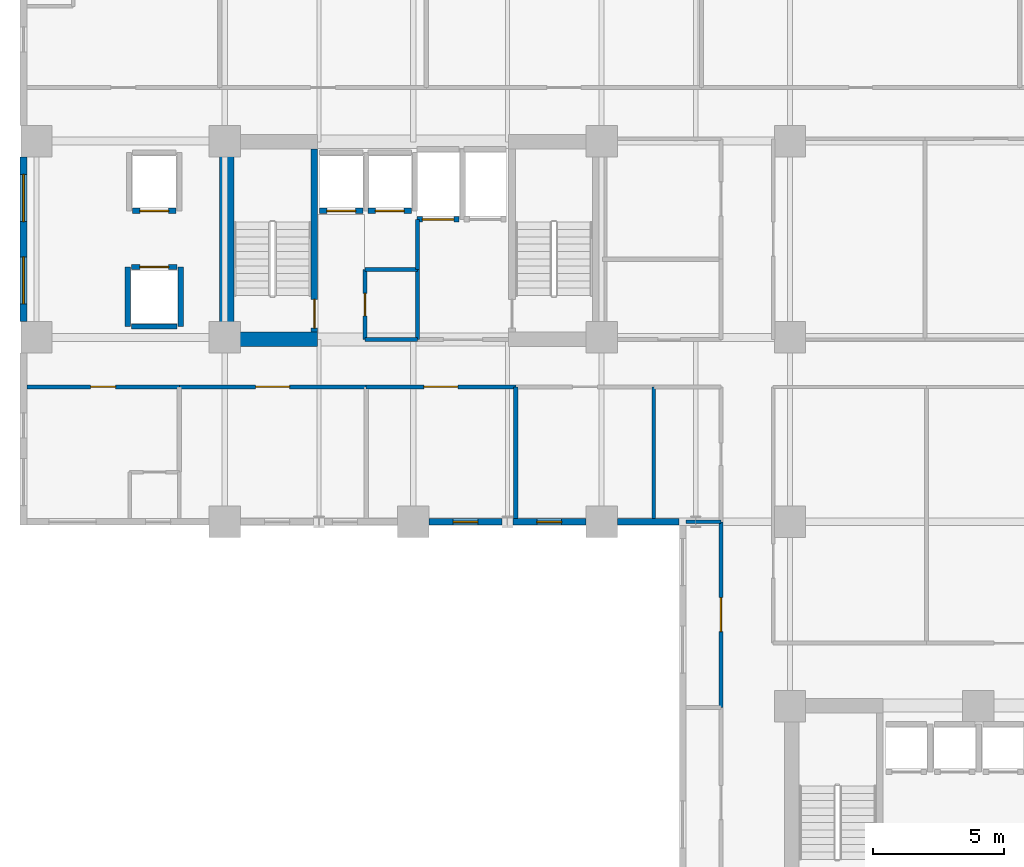
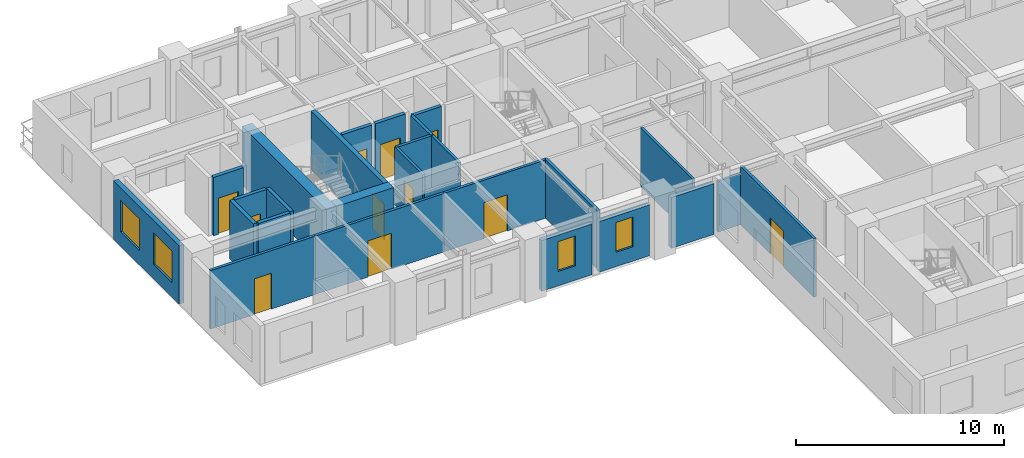
# One storey, part 3 of 11: 27 walls, 11 doors, 4 windows, 15 openings.
"""IFC4 building model written with IfcOpenShell, lengths in metres."""

from ifc_helpers import new_model, si_unit, direction, frame, frame_2d, origin, place, context, subcontext, project, spatial, rectangle, extrude, material, layer, layer_set, type_object, element, fill, save


model = new_model("IFC4")

# Units and contexts
model_context = context("Model", 3, precision=1e-05, world=origin(), true_north=direction((0.0, 1.0)))
body_context = subcontext(model_context, "Body", "Model", "MODEL_VIEW")
ifc_project = project(units=[si_unit("LENGTHUNIT", "METRE"), si_unit("AREAUNIT", "SQUARE_METRE"), si_unit("VOLUMEUNIT", "CUBIC_METRE"), si_unit("PLANEANGLEUNIT", "RADIAN"), si_unit("MASSUNIT", "GRAM", prefix="KILO")], contexts=[model_context])

# Site, building, storey
site_placement = place(None, origin())
site = spatial("IfcSite", under=ifc_project, at=site_placement, CompositionType="ELEMENT")
building_placement = place(site_placement, origin())
building = spatial("IfcBuilding", under=site, at=building_placement, Name="Kaliganga Portal Commons", CompositionType="ELEMENT")
storey_placement = place(building_placement, frame((0.0, 0.0, 100.800048828125)))
storey = spatial("IfcBuildingStorey", under=building, at=storey_placement, Name="L25", CompositionType="ELEMENT", Elevation=100.800048828125)

# Walls
ifc_material_1 = material(Name="Concrete C60/75", Category="concrete")
ifc_layer_1 = layer(ifc_material_1, 0.550048828125)
ifc_layer_set_1 = layer_set([ifc_layer_1], Name="Concrete C60/75")
wall_type_1 = type_object("IfcWallType", Name="WL-CORE-550", PredefinedType="SHEAR", material=ifc_layer_set_1)
wall_1_placement = place(storey_placement, frame((14.47509765625, 28.300048828125, 0.0), z_axis=(0.0, 0.0, 1.0), x_axis=(0.0, 1.0, 0.0)))
element("IfcWall", 1, at=wall_1_placement, inside=storey, type_object=wall_type_1, Name="Core A West Shear Wall L25", PredefinedType="SHEAR", context=body_context, shape_type="SweptSolid", body=[
    extrude(rectangle(XDim=8.099853515625, YDim=0.550048828125, at=frame_2d((4.0498046875, 0.0))), origin(), (0.0, 0.0, 1.0), 3.449951171875),
])
wall_2_placement = place(storey_placement, frame((14.75, 28.574951171875, 0.0), z_axis=(0.0, 0.0, 1.0), x_axis=(1.0, 0.0, 0.0)))
element("IfcWall", 2, at=wall_2_placement, inside=storey, type_object=wall_type_1, Name="Core A S-West Shear Wall L25", PredefinedType="SHEAR", context=body_context, shape_type="SweptSolid", body=[
    extrude(rectangle(XDim=3.199951171875, YDim=0.550048828125, at=frame_2d((1.60009765625, 0.0))), origin(), (0.0, 0.0, 1.0), 3.449951171875),
])

# Wall, openings, windows
ifc_material_2 = material(Name="Insulated Aluminium-Clad Spandrel Assembly", Category="aluminium")
ifc_layer_2 = layer(ifc_material_2, 0.260009765625)
ifc_layer_set_2 = layer_set([ifc_layer_2], Name="Insulated Aluminium-Clad Spandrel Assembly")
wall_type_2 = type_object("IfcWallType", Name="WL-EXT-SPAND-260", PredefinedType="STANDARD", material=ifc_layer_set_2)
wall_3_placement = place(storey_placement, frame((6.699951171875, 29.2509765625, 0.0), z_axis=(0.0, 0.0, 1.0), x_axis=(0.0, 1.0, 0.0)))
wall_3 = element("IfcWall", 3, at=wall_3_placement, inside=storey, type_object=wall_type_2, Name="Exterior Envelope Wall L25 P1-E03-S2", PredefinedType="STANDARD", context=body_context, shape_type="SweptSolid", body=[
    extrude(rectangle(XDim=6.298095703125, YDim=0.260009765625, at=frame_2d((3.14892578125, 0.0))), origin(), (0.0, 0.0, 1.0), 3.429931640625),
])
opening_1_placement = place(wall_3_placement, frame((0.674560546875, 0.0, 0.85009765625)))
opening_1 = element("IfcOpeningElement", 4, at=opening_1_placement, cuts=wall_3, Name="Opening W-01", PredefinedType="OPENING", context=body_context, shape_type="SweptSolid", body=[
    extrude(rectangle(XDim=1.800048828125, YDim=1.85009765625, at=frame_2d((0.89990234375, 0.925048828125))), frame((0.0, 0.14013671875, 0.0), z_axis=(0.0, -1.0, 0.0), x_axis=(1.0, 0.0, 0.0)), (0.0, 0.0, 1.0), 0.280029296875),
])
opening_2_placement = place(wall_3_placement, frame((3.823486328125, 0.0, 0.85009765625)))
opening_2 = element("IfcOpeningElement", 5, at=opening_2_placement, cuts=wall_3, Name="Opening W-01", PredefinedType="OPENING", context=body_context, shape_type="SweptSolid", body=[
    extrude(rectangle(XDim=1.800048828125, YDim=1.85009765625, at=frame_2d((0.89990234375, 0.925048828125))), frame((0.0, 0.14013671875, 0.0), z_axis=(0.0, -1.0, 0.0), x_axis=(1.0, 0.0, 0.0)), (0.0, 0.0, 1.0), 0.280029296875),
])
ifc_material_3 = material(Name="Thermally Broken Aluminium and Low-E Double Glazing", Category="aluminium")
window_type_1 = type_object("IfcWindowType", Name="WIN-STD-1800", PartitioningType="DOUBLE_PANEL_VERTICAL", PredefinedType="WINDOW", material=ifc_material_3)
window_1_placement = place(opening_1_placement, origin())
window_1 = element("IfcWindow", 6, at=window_1_placement, inside=storey, type_object=window_type_1, Name="Facade Window L25-P1E03S2-00", OverallHeight=1.85009765625, OverallWidth=1.800048828125, PartitioningType="SINGLE_PANEL", PredefinedType="WINDOW", context=body_context, shape_type="SweptSolid", body=[
    extrude(rectangle(XDim=1.800048828125, YDim=1.85009765625, at=frame_2d((0.89990234375, 0.925048828125))), frame((0.0, 0.030029296875, 0.0), z_axis=(0.0, -1.0, 0.0), x_axis=(1.0, 0.0, 0.0)), (0.0, 0.0, 1.0), 0.06005859375),
])
fill(opening_1, window_1)
window_2_placement = place(opening_2_placement, origin())
window_2 = element("IfcWindow", 7, at=window_2_placement, inside=storey, type_object=window_type_1, Name="Facade Window L25-P1E03S2-01", OverallHeight=1.85009765625, OverallWidth=1.800048828125, PartitioningType="SINGLE_PANEL", PredefinedType="WINDOW", context=body_context, shape_type="SweptSolid", body=[
    extrude(rectangle(XDim=1.800048828125, YDim=1.85009765625, at=frame_2d((0.89990234375, 0.925048828125))), frame((0.0, 0.030029296875, 0.0), z_axis=(0.0, -1.0, 0.0), x_axis=(1.0, 0.0, 0.0)), (0.0, 0.0, 1.0), 0.06005859375),
])
fill(opening_2, window_2)

# Wall, opening, window
wall_4_placement = place(storey_placement, frame((24.994384765625, 21.60009765625, 0.0), z_axis=(0.0, 0.0, 1.0), x_axis=(-1.0, 0.0, 0.0)))
wall_4 = element("IfcWall", 8, at=wall_4_placement, inside=storey, type_object=wall_type_2, Name="Exterior Envelope Wall L25 P1-E04-S4", PredefinedType="STANDARD", context=body_context, shape_type="SweptSolid", body=[
    extrude(rectangle(XDim=2.79345703125, YDim=0.260009765625, at=frame_2d((1.396728515625, 0.0))), origin(), (0.0, 0.0, 1.0), 2.97998046875),
])
opening_3_placement = place(wall_4_placement, frame((0.921630859375, 0.0, 0.85009765625)))
opening_3 = element("IfcOpeningElement", 9, at=opening_3_placement, cuts=wall_4, Name="Opening W-04", PredefinedType="OPENING", context=body_context, shape_type="SweptSolid", body=[
    extrude(rectangle(XDim=0.949951171875, YDim=1.75, at=frame_2d((0.47509765625, 0.875))), frame((0.0, 0.14013671875, 0.0), z_axis=(0.0, -1.0, 0.0), x_axis=(1.0, 0.0, 0.0)), (0.0, 0.0, 1.0), 0.280029296875),
])
window_type_2 = type_object("IfcWindowType", Name="WIN-NARROW-950", PartitioningType="SINGLE_PANEL", PredefinedType="WINDOW", material=ifc_material_3)
window_3_placement = place(opening_3_placement, origin())
window_3 = element("IfcWindow", 10, at=window_3_placement, inside=storey, type_object=window_type_2, Name="Facade Window L25-P1E04S4-00", OverallHeight=1.75, OverallWidth=0.949951171875, PartitioningType="SINGLE_PANEL", PredefinedType="WINDOW", context=body_context, shape_type="SweptSolid", body=[
    extrude(rectangle(XDim=0.949951171875, YDim=1.75, at=frame_2d((0.47509765625, 0.875))), frame((0.0, 0.030029296875, 0.0), z_axis=(0.0, -1.0, 0.0), x_axis=(1.0, 0.0, 0.0)), (0.0, 0.0, 1.0), 0.06005859375),
])
fill(opening_3, window_3)

wall_5_placement = place(storey_placement, frame((28.198974609375, 21.60009765625, 0.0), z_axis=(0.0, 0.0, 1.0), x_axis=(-1.0, 0.0, 0.0)))
wall_5 = element("IfcWall", 11, at=wall_5_placement, inside=storey, type_object=wall_type_2, Name="Exterior Envelope Wall L25 P1-E04-S5", PredefinedType="STANDARD", context=body_context, shape_type="SweptSolid", body=[
    extrude(rectangle(XDim=2.79345703125, YDim=0.260009765625, at=frame_2d((1.396728515625, 0.0))), origin(), (0.0, 0.0, 1.0), 2.97998046875),
])
opening_4_placement = place(wall_5_placement, frame((0.921875, 0.0, 0.85009765625)))
opening_4 = element("IfcOpeningElement", 12, at=opening_4_placement, cuts=wall_5, Name="Opening W-04", PredefinedType="OPENING", context=body_context, shape_type="SweptSolid", body=[
    extrude(rectangle(XDim=0.949951171875, YDim=1.75, at=frame_2d((0.47509765625, 0.875))), frame((0.0, 0.14013671875, 0.0), z_axis=(0.0, -1.0, 0.0), x_axis=(1.0, 0.0, 0.0)), (0.0, 0.0, 1.0), 0.280029296875),
])
window_4_placement = place(opening_4_placement, origin())
window_4 = element("IfcWindow", 13, at=window_4_placement, inside=storey, type_object=window_type_2, Name="Facade Window L25-P1E04S5-00", OverallHeight=1.75, OverallWidth=0.949951171875, PartitioningType="SINGLE_PANEL", PredefinedType="WINDOW", context=body_context, shape_type="SweptSolid", body=[
    extrude(rectangle(XDim=0.949951171875, YDim=1.75, at=frame_2d((0.47509765625, 0.875))), frame((0.0, 0.030029296875, 0.0), z_axis=(0.0, -1.0, 0.0), x_axis=(1.0, 0.0, 0.0)), (0.0, 0.0, 1.0), 0.06005859375),
])
fill(opening_4, window_4)

# Wall
wall_6_placement = place(storey_placement, frame((31.764892578125, 21.60009765625, 0.0), z_axis=(0.0, 0.0, 1.0), x_axis=(-1.0, 0.0, 0.0)))
element("IfcWall", 14, at=wall_6_placement, inside=storey, type_object=wall_type_2, Name="Exterior Envelope Wall L25 P1-E04-S6", PredefinedType="STANDARD", context=body_context, shape_type="SweptSolid", body=[
    extrude(rectangle(XDim=2.364013671875, YDim=0.260009765625, at=frame_2d((1.18212890625, 0.0))), origin(), (0.0, 0.0, 1.0), 2.97998046875),
])

# Wall, opening, door
ifc_material_4 = material(Name="Fire-Rated Gypsum Board on Steel Stud", Category="steel")
ifc_layer_3 = layer(ifc_material_4, 0.14990234375)
ifc_layer_set_3 = layer_set([ifc_layer_3], Name="Fire-Rated Gypsum Board on Steel Stud")
wall_type_3 = type_object("IfcWallType", Name="WL-PART-CORR-150", PredefinedType="PARTITIONING", material=ifc_layer_set_3)
wall_7_placement = place(storey_placement, frame((12.659912109375, 26.760009765625, 0.0), z_axis=(0.0, 0.0, 1.0), x_axis=(1.0, 0.0, 0.0)))
wall_7 = element("IfcWall", 15, at=wall_7_placement, inside=storey, type_object=wall_type_3, Name="Interior Partition L25-022", PredefinedType="PARTITIONING", context=body_context, shape_type="SweptSolid", body=[
    extrude(rectangle(XDim=7.14013671875, YDim=0.14990234375, at=frame_2d((3.570068359375, 0.0))), origin(), (0.0, 0.0, 1.0), 3.429931640625),
])
opening_5_placement = place(wall_7_placement, frame((2.919921875, 0.0, 0.0)))
opening_5 = element("IfcOpeningElement", 16, at=opening_5_placement, cuts=wall_7, Name="Opening RD-03", PredefinedType="OPENING", context=body_context, shape_type="SweptSolid", body=[
    extrude(rectangle(XDim=1.300048828125, YDim=2.1201171875, at=frame_2d((0.64990234375, 1.06005859375))), frame((0.0, 0.0849609375, 0.0), z_axis=(0.0, -1.0, 0.0), x_axis=(1.0, 0.0, 0.0)), (0.0, 0.0, 1.0), 0.169921875),
])
ifc_material_5 = material(Name="Glazed Timber Seminar Vision Door", Category="wood")
door_type_1 = type_object("IfcDoorType", Name="DR-STUDY-1300", OperationType="DOUBLE_DOOR_SINGLE_SWING", PredefinedType="DOOR", material=ifc_material_5)
door_1_placement = place(opening_5_placement, origin())
door_1 = element("IfcDoor", 17, at=door_1_placement, inside=storey, type_object=door_type_1, Name="Interior Door L25-AS02", OperationType="DOUBLE_DOOR_SINGLE_SWING", OverallHeight=2.1201171875, OverallWidth=1.300048828125, PredefinedType="DOOR", context=body_context, shape_type="SweptSolid", body=[
    extrude(rectangle(XDim=1.300048828125, YDim=2.1201171875, at=frame_2d((0.64990234375, 1.06005859375))), frame((0.0, 0.02490234375, 0.0), z_axis=(0.0, -1.0, 0.0), x_axis=(1.0, 0.0, 0.0)), (0.0, 0.0, 1.0), 0.050048828125),
])
fill(opening_5, door_1)

wall_8_placement = place(storey_placement, frame((33.360107421875, 14.5, 0.0), z_axis=(0.0, 0.0, 1.0), x_axis=(0.0, 1.0, 0.0)))
wall_8 = element("IfcWall", 18, at=wall_8_placement, inside=storey, type_object=wall_type_3, Name="Interior Partition L25-023", PredefinedType="PARTITIONING", context=body_context, shape_type="SweptSolid", body=[
    extrude(rectangle(XDim=7.10009765625, YDim=0.14990234375, at=frame_2d((3.550048828125, 0.0))), origin(), (0.0, 0.0, 1.0), 3.429931640625),
])
opening_6_placement = place(wall_8_placement, frame((2.89990234375, 0.0, 0.0)))
opening_6 = element("IfcOpeningElement", 19, at=opening_6_placement, cuts=wall_8, Name="Opening RD-03", PredefinedType="OPENING", context=body_context, shape_type="SweptSolid", body=[
    extrude(rectangle(XDim=1.300048828125, YDim=2.1201171875, at=frame_2d((0.64990234375, 1.06005859375))), frame((0.0, 0.0849609375, 0.0), z_axis=(0.0, -1.0, 0.0), x_axis=(1.0, 0.0, 0.0)), (0.0, 0.0, 1.0), 0.169921875),
])
door_2_placement = place(opening_6_placement, origin())
door_2 = element("IfcDoor", 20, at=door_2_placement, inside=storey, type_object=door_type_1, Name="Interior Door L25-KW02", OperationType="DOUBLE_DOOR_SINGLE_SWING", OverallHeight=2.1201171875, OverallWidth=1.300048828125, PredefinedType="DOOR", context=body_context, shape_type="SweptSolid", body=[
    extrude(rectangle(XDim=1.300048828125, YDim=2.1201171875, at=frame_2d((0.64990234375, 1.06005859375))), frame((0.0, 0.02490234375, 0.0), z_axis=(0.0, -1.0, 0.0), x_axis=(1.0, 0.0, 0.0)), (0.0, 0.0, 1.0), 0.050048828125),
])
fill(opening_6, door_2)

wall_9_placement = place(storey_placement, frame((6.83203125, 26.760009765625, 0.0), z_axis=(0.0, 0.0, 1.0), x_axis=(1.0, 0.0, 0.0)))
wall_9 = element("IfcWall", 21, at=wall_9_placement, inside=storey, type_object=wall_type_3, Name="Interior Partition L25-025", PredefinedType="PARTITIONING", context=body_context, shape_type="SweptSolid", body=[
    extrude(rectangle(XDim=5.827880859375, YDim=0.14990234375, at=frame_2d((2.9140625, 0.0))), origin(), (0.0, 0.0, 1.0), 3.429931640625),
])
opening_7_placement = place(wall_9_placement, frame((2.43896484375, 0.0, 0.0)))
opening_7 = element("IfcOpeningElement", 22, at=opening_7_placement, cuts=wall_9, Name="Opening UD-01", PredefinedType="OPENING", context=body_context, shape_type="SweptSolid", body=[
    extrude(rectangle(XDim=0.949951171875, YDim=2.10009765625, at=frame_2d((0.47509765625, 1.050048828125))), frame((0.0, 0.0849609375, 0.0), z_axis=(0.0, -1.0, 0.0), x_axis=(1.0, 0.0, 0.0)), (0.0, 0.0, 1.0), 0.169921875),
])
ifc_material_6 = material(Name="Solid-Core Timber Acoustic Fire Door", Category="wood")
door_type_2 = type_object("IfcDoorType", Name="DR-UNIT-950", OperationType="NOTDEFINED", PredefinedType="DOOR", material=ifc_material_6)
door_3_placement = place(opening_7_placement, origin())
door_3 = element("IfcDoor", 23, at=door_3_placement, inside=storey, type_object=door_type_2, Name="Interior Door L25-AS01", OperationType="SINGLE_SWING_LEFT", OverallHeight=2.10009765625, OverallWidth=0.949951171875, PredefinedType="DOOR", context=body_context, shape_type="SweptSolid", body=[
    extrude(rectangle(XDim=0.949951171875, YDim=2.10009765625, at=frame_2d((0.47509765625, 1.050048828125))), frame((0.0, 0.02490234375, 0.0), z_axis=(0.0, -1.0, 0.0), x_axis=(1.0, 0.0, 0.0)), (0.0, 0.0, 1.0), 0.050048828125),
])
fill(opening_7, door_3)

wall_10_placement = place(storey_placement, frame((19.800048828125, 26.760009765625, 0.0), z_axis=(0.0, 0.0, 1.0), x_axis=(1.0, 0.0, 0.0)))
wall_10 = element("IfcWall", 24, at=wall_10_placement, inside=storey, type_object=wall_type_3, Name="Interior Partition L25-028", PredefinedType="PARTITIONING", context=body_context, shape_type="SweptSolid", body=[
    extrude(rectangle(XDim=5.719970703125, YDim=0.14990234375, at=frame_2d((2.85986328125, 0.0))), origin(), (0.0, 0.0, 1.0), 3.429931640625),
])
opening_8_placement = place(wall_10_placement, frame((2.2099609375, 0.0, 0.0)))
opening_8 = element("IfcOpeningElement", 25, at=opening_8_placement, cuts=wall_10, Name="Opening RD-03", PredefinedType="OPENING", context=body_context, shape_type="SweptSolid", body=[
    extrude(rectangle(XDim=1.300048828125, YDim=2.1201171875, at=frame_2d((0.64990234375, 1.06005859375))), frame((0.0, 0.0849609375, 0.0), z_axis=(0.0, -1.0, 0.0), x_axis=(1.0, 0.0, 0.0)), (0.0, 0.0, 1.0), 0.169921875),
])
door_4_placement = place(opening_8_placement, origin())
door_4 = element("IfcDoor", 26, at=door_4_placement, inside=storey, type_object=door_type_1, Name="Interior Door L25-AS03", OperationType="DOUBLE_DOOR_SINGLE_SWING", OverallHeight=2.1201171875, OverallWidth=1.300048828125, PredefinedType="DOOR", context=body_context, shape_type="SweptSolid", body=[
    extrude(rectangle(XDim=1.300048828125, YDim=2.1201171875, at=frame_2d((0.64990234375, 1.06005859375))), frame((0.0, 0.02490234375, 0.0), z_axis=(0.0, -1.0, 0.0), x_axis=(1.0, 0.0, 0.0)), (0.0, 0.0, 1.0), 0.050048828125),
])
fill(opening_8, door_4)

wall_11_placement = place(storey_placement, frame((19.760009765625, 28.56005859375, 0.0), z_axis=(0.0, 0.0, 1.0), x_axis=(0.0, 1.0, 0.0)))
wall_11 = element("IfcWall", 27, at=wall_11_placement, inside=storey, type_object=wall_type_3, Name="Interior Partition L25-040", PredefinedType="PARTITIONING", context=body_context, shape_type="SweptSolid", body=[
    extrude(rectangle(XDim=2.679931640625, YDim=0.14990234375, at=frame_2d((1.33984375, 0.0))), origin(), (0.0, 0.0, 1.0), 3.429931640625),
])
opening_9_placement = place(wall_11_placement, frame((0.909912109375, 0.0, 0.0)))
opening_9 = element("IfcOpeningElement", 28, at=opening_9_placement, cuts=wall_11, Name="Opening WD-02", PredefinedType="OPENING", context=body_context, shape_type="SweptSolid", body=[
    extrude(rectangle(XDim=0.860107421875, YDim=2.02001953125, at=frame_2d((0.43017578125, 1.010009765625))), frame((0.0, 0.0849609375, 0.0), z_axis=(0.0, -1.0, 0.0), x_axis=(1.0, 0.0, 0.0)), (0.0, 0.0, 1.0), 0.169921875),
])
ifc_material_7 = material(Name="Fire-Rated Utility Closet Door", Category="wood")
door_type_3 = type_object("IfcDoorType", Name="DR-STORE-800", OperationType="NOTDEFINED", PredefinedType="DOOR", material=ifc_material_7)
door_5_placement = place(opening_9_placement, origin())
door_5 = element("IfcDoor", 29, at=door_5_placement, inside=storey, type_object=door_type_3, Name="Interior Door L25-CIN_A1", OperationType="SINGLE_SWING_LEFT", OverallHeight=2.02001953125, OverallWidth=0.860107421875, PredefinedType="DOOR", context=body_context, shape_type="SweptSolid", body=[
    extrude(rectangle(XDim=0.860107421875, YDim=2.02001953125, at=frame_2d((0.43017578125, 1.010009765625))), frame((0.0, 0.02490234375, 0.0), z_axis=(0.0, -1.0, 0.0), x_axis=(1.0, 0.0, 0.0)), (0.0, 0.0, 1.0), 0.050048828125),
])
fill(opening_9, door_5)

# Walls
wall_12_placement = place(storey_placement, frame((21.760009765625, 28.56005859375, 0.0), z_axis=(0.0, 0.0, 1.0), x_axis=(0.0, 1.0, 0.0)))
element("IfcWall", 30, at=wall_12_placement, inside=storey, type_object=wall_type_3, Name="Interior Partition L25-041", PredefinedType="PARTITIONING", context=body_context, shape_type="SweptSolid", body=[
    extrude(rectangle(XDim=2.679931640625, YDim=0.14990234375, at=frame_2d((1.33984375, 0.0))), origin(), (0.0, 0.0, 1.0), 3.429931640625),
])
wall_13_placement = place(storey_placement, frame((19.760009765625, 28.56005859375, 0.0), z_axis=(0.0, 0.0, 1.0), x_axis=(1.0, 0.0, 0.0)))
element("IfcWall", 31, at=wall_13_placement, inside=storey, type_object=wall_type_3, Name="Interior Partition L25-044", PredefinedType="PARTITIONING", context=body_context, shape_type="SweptSolid", body=[
    extrude(rectangle(XDim=2.0, YDim=0.14990234375, at=frame_2d((1.0, 0.0))), origin(), (0.0, 0.0, 1.0), 2.429931640625),
])
wall_14_placement = place(storey_placement, frame((19.760009765625, 31.239990234375, 0.0), z_axis=(0.0, 0.0, 1.0), x_axis=(1.0, 0.0, 0.0)))
element("IfcWall", 32, at=wall_14_placement, inside=storey, type_object=wall_type_3, Name="Interior Partition L25-045", PredefinedType="PARTITIONING", context=body_context, shape_type="SweptSolid", body=[
    extrude(rectangle(XDim=2.0, YDim=0.14990234375, at=frame_2d((1.0, 0.0))), origin(), (0.0, 0.0, 1.0), 3.429931640625),
])
wall_15_placement = place(storey_placement, frame((21.760009765625, 31.239990234375, 0.0), z_axis=(0.0, 0.0, 1.0), x_axis=(0.0, 1.0, 0.0)))
element("IfcWall", 33, at=wall_15_placement, inside=storey, type_object=wall_type_3, Name="Interior Partition L25-079", PredefinedType="PARTITIONING", context=body_context, shape_type="SweptSolid", body=[
    extrude(rectangle(XDim=1.919921875, YDim=0.14990234375, at=frame_2d((0.9599609375, 0.0))), origin(), (0.0, 0.0, 1.0), 3.429931640625),
])
ifc_material_8 = material(Name="Twin-Stud Acoustic Gypsum Partition", Category="gypsum")
ifc_layer_4 = layer(ifc_material_8, 0.1650390625)
ifc_layer_set_4 = layer_set([ifc_layer_4], Name="Twin-Stud Acoustic Gypsum Partition")
wall_type_4 = type_object("IfcWallType", Name="WL-PART-UNIT-165", PredefinedType="PARTITIONING", material=ifc_layer_set_4)
wall_16_placement = place(storey_placement, frame((25.52001953125, 21.73193359375, 0.0), z_axis=(0.0, 0.0, 1.0), x_axis=(0.0, 1.0, 0.0)))
element("IfcWall", 34, at=wall_16_placement, inside=storey, type_object=wall_type_4, Name="Interior Partition L25-063", PredefinedType="PARTITIONING", context=body_context, shape_type="SweptSolid", body=[
    extrude(rectangle(XDim=5.028076171875, YDim=0.1650390625, at=frame_2d((2.51416015625, 0.0))), origin(), (0.0, 0.0, 1.0), 3.429931640625),
])
ifc_material_9 = material(Name="Cement-Board Wet-Room Partition", Category="gypsum")
ifc_layer_5 = layer(ifc_material_9, 0.135009765625)
ifc_layer_set_5 = layer_set([ifc_layer_5], Name="Cement-Board Wet-Room Partition")
wall_type_5 = type_object("IfcWallType", Name="WL-PART-WET-135", PredefinedType="PARTITIONING", material=ifc_layer_set_5)
wall_17_placement = place(storey_placement, frame((30.800048828125, 21.73193359375, 0.0), z_axis=(0.0, 0.0, 1.0), x_axis=(0.0, 1.0, 0.0)))
element("IfcWall", 35, at=wall_17_placement, inside=storey, type_object=wall_type_5, Name="Interior Partition L25-064", PredefinedType="PARTITIONING", context=body_context, shape_type="SweptSolid", body=[
    extrude(rectangle(XDim=5.028076171875, YDim=0.135009765625, at=frame_2d((2.51416015625, 0.0))), origin(), (0.0, 0.0, 1.0), 3.429931640625),
])
wall_18_placement = place(storey_placement, frame((32.031982421875, 21.60009765625, 0.0), z_axis=(0.0, 0.0, 1.0), x_axis=(1.0, 0.0, 0.0)))
element("IfcWall", 36, at=wall_18_placement, inside=storey, type_object=wall_type_5, Name="Interior Partition L25-081", PredefinedType="PARTITIONING", context=body_context, shape_type="SweptSolid", body=[
    extrude(rectangle(XDim=1.328125, YDim=0.135009765625, at=frame_2d((0.6640625, 0.0))), origin(), (0.0, 0.0, 1.0), 2.97998046875),
])

# Wall, opening, door
ifc_material_10 = material(Name="Fire-Rated Shaftwall Masonry Assembly", Category="masonry")
ifc_layer_6 = layer(ifc_material_10, 0.199951171875)
ifc_layer_set_6 = layer_set([ifc_layer_6], Name="Fire-Rated Shaftwall Masonry Assembly")
wall_type_6 = type_object("IfcWallType", Name="WL-SHAFT-200", PredefinedType="PARTITIONING", material=ifc_layer_set_6)
wall_19_placement = place(storey_placement, frame((18.02490234375, 33.485107421875, 0.0), z_axis=(0.0, 0.0, 1.0), x_axis=(1.0, 0.0, 0.0)))
wall_19 = element("IfcWall", 37, at=wall_19_placement, inside=storey, type_object=wall_type_6, Name="Lift PL-A1 Hoistway Shaft Wall L25-S", PredefinedType="PARTITIONING", context=body_context, shape_type="SweptSolid", body=[
    extrude(rectangle(XDim=1.650146484375, YDim=0.199951171875, at=frame_2d((0.8251953125, 0.0))), origin(), (0.0, 0.0, 1.0), 3.429931640625),
])
opening_10_placement = place(wall_19_placement, frame((0.27490234375, 0.0, 0.0)))
opening_10 = element("IfcOpeningElement", 38, at=opening_10_placement, cuts=wall_19, Name="Opening LD-01", PredefinedType="OPENING", context=body_context, shape_type="SweptSolid", body=[
    extrude(rectangle(XDim=1.10009765625, YDim=2.1201171875, at=frame_2d((0.550048828125, 1.06005859375))), frame((0.0, 0.10986328125, 0.0), z_axis=(0.0, -1.0, 0.0), x_axis=(1.0, 0.0, 0.0)), (0.0, 0.0, 1.0), 0.219970703125),
])
ifc_material_11 = material(Name="Brushed Stainless Steel 316 Lift Landing Door", Category="steel")
door_type_4 = type_object("IfcDoorType", Name="DR-LIFT-1100", OperationType="SLIDING_TO_LEFT", PredefinedType="DOOR", material=ifc_material_11)
door_6_placement = place(opening_10_placement, origin())
door_6 = element("IfcDoor", 39, at=door_6_placement, inside=storey, type_object=door_type_4, Name="Lift PL-A1 Sliding Landing Door L25", OperationType="SLIDING_TO_LEFT", OverallHeight=2.1201171875, OverallWidth=1.10009765625, PredefinedType="DOOR", context=body_context, shape_type="SweptSolid", body=[
    extrude(rectangle(XDim=1.10009765625, YDim=2.1201171875, at=frame_2d((0.550048828125, 1.06005859375))), frame((0.0, 0.02490234375, 0.0), z_axis=(0.0, -1.0, 0.0), x_axis=(1.0, 0.0, 0.0)), (0.0, 0.0, 1.0), 0.050048828125),
])
fill(opening_10, door_6)

wall_20_placement = place(storey_placement, frame((19.875, 33.485107421875, 0.0), z_axis=(0.0, 0.0, 1.0), x_axis=(1.0, 0.0, 0.0)))
wall_20 = element("IfcWall", 40, at=wall_20_placement, inside=storey, type_object=wall_type_6, Name="Lift PL-A2 Hoistway Shaft Wall L25-S", PredefinedType="PARTITIONING", context=body_context, shape_type="SweptSolid", body=[
    extrude(rectangle(XDim=1.64990234375, YDim=0.199951171875, at=frame_2d((0.824951171875, 0.0))), origin(), (0.0, 0.0, 1.0), 3.429931640625),
])
opening_11_placement = place(wall_20_placement, frame((0.27490234375, 0.0, 0.0)))
opening_11 = element("IfcOpeningElement", 41, at=opening_11_placement, cuts=wall_20, Name="Opening LD-01", PredefinedType="OPENING", context=body_context, shape_type="SweptSolid", body=[
    extrude(rectangle(XDim=1.10009765625, YDim=2.1201171875, at=frame_2d((0.550048828125, 1.06005859375))), frame((0.0, 0.10986328125, 0.0), z_axis=(0.0, -1.0, 0.0), x_axis=(1.0, 0.0, 0.0)), (0.0, 0.0, 1.0), 0.219970703125),
])
door_7_placement = place(opening_11_placement, origin())
door_7 = element("IfcDoor", 42, at=door_7_placement, inside=storey, type_object=door_type_4, Name="Lift PL-A2 Sliding Landing Door L25", OperationType="SLIDING_TO_LEFT", OverallHeight=2.1201171875, OverallWidth=1.10009765625, PredefinedType="DOOR", context=body_context, shape_type="SweptSolid", body=[
    extrude(rectangle(XDim=1.10009765625, YDim=2.1201171875, at=frame_2d((0.550048828125, 1.06005859375))), frame((0.0, 0.02490234375, 0.0), z_axis=(0.0, -1.0, 0.0), x_axis=(1.0, 0.0, 0.0)), (0.0, 0.0, 1.0), 0.050048828125),
])
fill(opening_11, door_7)

# Wall
wall_21_placement = place(storey_placement, frame((10.824951171875, 29.06005859375, 0.0), z_axis=(0.0, 0.0, 1.0), x_axis=(1.0, 0.0, 0.0)))
element("IfcWall", 43, at=wall_21_placement, inside=storey, type_object=wall_type_6, Name="Lift SH-1 Hoistway Shaft Wall L25-S", PredefinedType="PARTITIONING", context=body_context, shape_type="SweptSolid", body=[
    extrude(rectangle(XDim=1.75, YDim=0.199951171875, at=frame_2d((0.875, 0.0))), origin(), (0.0, 0.0, 1.0), 3.429931640625),
])

# Wall, opening, door
wall_22_placement = place(storey_placement, frame((10.824951171875, 31.340087890625, 0.0), z_axis=(0.0, 0.0, 1.0), x_axis=(1.0, 0.0, 0.0)))
wall_22 = element("IfcWall", 44, at=wall_22_placement, inside=storey, type_object=wall_type_6, Name="Lift SH-1 Hoistway Shaft Wall L25-N", PredefinedType="PARTITIONING", context=body_context, shape_type="SweptSolid", body=[
    extrude(rectangle(XDim=1.75, YDim=0.199951171875, at=frame_2d((0.875, 0.0))), origin(), (0.0, 0.0, 1.0), 3.429931640625),
])
opening_12_placement = place(wall_22_placement, frame((0.324951171875, 0.0, 0.0)))
opening_12 = element("IfcOpeningElement", 45, at=opening_12_placement, cuts=wall_22, Name="Opening LD-01", PredefinedType="OPENING", context=body_context, shape_type="SweptSolid", body=[
    extrude(rectangle(XDim=1.10009765625, YDim=2.1201171875, at=frame_2d((0.550048828125, 1.06005859375))), frame((0.0, 0.10986328125, 0.0), z_axis=(0.0, -1.0, 0.0), x_axis=(1.0, 0.0, 0.0)), (0.0, 0.0, 1.0), 0.219970703125),
])
door_8_placement = place(opening_12_placement, origin())
door_8 = element("IfcDoor", 46, at=door_8_placement, inside=storey, type_object=door_type_4, Name="Lift SH-1 Sliding Landing Door L25", OperationType="SLIDING_TO_LEFT", OverallHeight=2.1201171875, OverallWidth=1.10009765625, PredefinedType="DOOR", context=body_context, shape_type="SweptSolid", body=[
    extrude(rectangle(XDim=1.10009765625, YDim=2.1201171875, at=frame_2d((0.550048828125, 1.06005859375))), frame((0.0, 0.02490234375, 0.0), z_axis=(0.0, -1.0, 0.0), x_axis=(1.0, 0.0, 0.0)), (0.0, 0.0, 1.0), 0.050048828125),
])
fill(opening_12, door_8)

# Walls
for number, where, z_axis, x_axis, name in (
    (47, (10.68505859375, 29.06005859375, 0.0), (0.0, 0.0, 1.0), (0.0, 1.0, 0.0), "Lift SH-1 Hoistway Shaft Wall L25-W"),
    (48, (12.715087890625, 29.06005859375, 0.0), (0.0, 0.0, 1.0), (0.0, 1.0, 0.0), "Lift SH-1 Hoistway Shaft Wall L25-E"),
):
    element("IfcWall", number, at=place(storey_placement, frame(where, z_axis=z_axis, x_axis=x_axis)), inside=storey, type_object=wall_type_6, Name=name, PredefinedType="PARTITIONING", context=body_context, shape_type="SweptSolid", body=[
        extrude(rectangle(XDim=2.280029296875, YDim=0.199951171875, at=frame_2d((1.14013671875, 0.0))), origin(), (0.0, 0.0, 1.0), 3.429931640625),
    ])

# Wall, opening, door
wall_23_placement = place(storey_placement, frame((10.875, 33.485107421875, 0.0), z_axis=(0.0, 0.0, 1.0), x_axis=(1.0, 0.0, 0.0)))
wall_23 = element("IfcWall", 49, at=wall_23_placement, inside=storey, type_object=wall_type_6, Name="Lift PL-OBS Hoistway Shaft Wall L25-S", PredefinedType="PARTITIONING", context=body_context, shape_type="SweptSolid", body=[
    extrude(rectangle(XDim=1.64990234375, YDim=0.199951171875, at=frame_2d((0.824951171875, 0.0))), origin(), (0.0, 0.0, 1.0), 3.429931640625),
])
opening_13_placement = place(wall_23_placement, frame((0.27490234375, 0.0, 0.0)))
opening_13 = element("IfcOpeningElement", 50, at=opening_13_placement, cuts=wall_23, Name="Opening LD-01", PredefinedType="OPENING", context=body_context, shape_type="SweptSolid", body=[
    extrude(rectangle(XDim=1.10009765625, YDim=2.1201171875, at=frame_2d((0.550048828125, 1.06005859375))), frame((0.0, 0.10986328125, 0.0), z_axis=(0.0, -1.0, 0.0), x_axis=(1.0, 0.0, 0.0)), (0.0, 0.0, 1.0), 0.219970703125),
])
door_9_placement = place(opening_13_placement, origin())
door_9 = element("IfcDoor", 51, at=door_9_placement, inside=storey, type_object=door_type_4, Name="Lift PL-OBS Sliding Landing Door L25", OperationType="SLIDING_TO_LEFT", OverallHeight=2.1201171875, OverallWidth=1.10009765625, PredefinedType="DOOR", context=body_context, shape_type="SweptSolid", body=[
    extrude(rectangle(XDim=1.10009765625, YDim=2.1201171875, at=frame_2d((0.550048828125, 1.06005859375))), frame((0.0, 0.02490234375, 0.0), z_axis=(0.0, -1.0, 0.0), x_axis=(1.0, 0.0, 0.0)), (0.0, 0.0, 1.0), 0.050048828125),
])
fill(opening_13, door_9)

wall_24_placement = place(storey_placement, frame((21.75, 33.159912109375, 0.0), z_axis=(0.0, 0.0, 1.0), x_axis=(1.0, 0.0, 0.0)))
wall_24 = element("IfcWall", 52, at=wall_24_placement, inside=storey, type_object=wall_type_6, Name="Lift FFL-1 Hoistway Shaft Wall L25-S", PredefinedType="PARTITIONING", context=body_context, shape_type="SweptSolid", body=[
    extrude(rectangle(XDim=1.60009765625, YDim=0.199951171875, at=frame_2d((0.800048828125, 0.0))), origin(), (0.0, 0.0, 1.0), 3.429931640625),
])
opening_14_placement = place(wall_24_placement, frame((0.199951171875, 0.0, 0.0)))
opening_14 = element("IfcOpeningElement", 53, at=opening_14_placement, cuts=wall_24, Name="Opening LD-02", PredefinedType="OPENING", context=body_context, shape_type="SweptSolid", body=[
    extrude(rectangle(XDim=1.199951171875, YDim=2.1201171875, at=frame_2d((0.60009765625, 1.06005859375))), frame((0.0, 0.10986328125, 0.0), z_axis=(0.0, -1.0, 0.0), x_axis=(1.0, 0.0, 0.0)), (0.0, 0.0, 1.0), 0.219970703125),
])
ifc_material_12 = material(Name="Brushed Stainless Steel 316 Stretcher Lift Landing Door", Category="steel")
door_type_5 = type_object("IfcDoorType", Name="DR-LIFT-1200", OperationType="SLIDING_TO_RIGHT", PredefinedType="DOOR", material=ifc_material_12)
door_10_placement = place(opening_14_placement, origin())
door_10 = element("IfcDoor", 54, at=door_10_placement, inside=storey, type_object=door_type_5, Name="Lift FFL-1 Sliding Landing Door L25", OperationType="SLIDING_TO_RIGHT", OverallHeight=2.1201171875, OverallWidth=1.199951171875, PredefinedType="DOOR", context=body_context, shape_type="SweptSolid", body=[
    extrude(rectangle(XDim=1.199951171875, YDim=2.1201171875, at=frame_2d((0.60009765625, 1.06005859375))), frame((0.0, 0.02490234375, 0.0), z_axis=(0.0, -1.0, 0.0), x_axis=(1.0, 0.0, 0.0)), (0.0, 0.0, 1.0), 0.050048828125),
])
fill(opening_14, door_10)

ifc_material_13 = material(Name="Concrete C50/60", Category="concrete")
ifc_layer_7 = layer(ifc_material_13, 0.25)
ifc_layer_set_7 = layer_set([ifc_layer_7], Name="Concrete C50/60")
wall_type_7 = type_object("IfcWallType", Name="WL-STAIR-250", PredefinedType="SHEAR", material=ifc_layer_set_7)
wall_25_placement = place(storey_placement, frame((17.824951171875, 28.85009765625, 0.0), z_axis=(0.0, 0.0, 1.0), x_axis=(0.0, 1.0, 0.0)))
wall_25 = element("IfcWall", 55, at=wall_25_placement, inside=storey, type_object=wall_type_7, Name="Stair A1 Enclosure Shear Wall L25", PredefinedType="SHEAR", context=body_context, shape_type="SweptSolid", body=[
    extrude(rectangle(XDim=7.0, YDim=0.25, at=frame_2d((3.5, 0.0))), origin(), (0.0, 0.0, 1.0), 3.449951171875),
])
opening_15_placement = place(wall_25_placement, frame((0.14990234375, 0.0, 0.0)))
opening_15 = element("IfcOpeningElement", 56, at=opening_15_placement, cuts=wall_25, Name="Opening SD-01", PredefinedType="OPENING", context=body_context, shape_type="SweptSolid", body=[
    extrude(rectangle(XDim=1.10009765625, YDim=2.080078125, at=frame_2d((0.550048828125, 1.0400390625))), frame((0.0, 0.135009765625, 0.0), z_axis=(0.0, -1.0, 0.0), x_axis=(1.0, 0.0, 0.0)), (0.0, 0.0, 1.0), 0.27001953125),
])
ifc_material_14 = material(Name="Galvanized Steel Fire Door Leaf and Frame", Category="steel")
door_type_6 = type_object("IfcDoorType", Name="DR-STAIR-1100", OperationType="NOTDEFINED", PredefinedType="DOOR", material=ifc_material_14)
door_11_placement = place(opening_15_placement, origin())
door_11 = element("IfcDoor", 57, at=door_11_placement, inside=storey, type_object=door_type_6, Name="Protected Stair ST-A1 Fire Door L25", OperationType="SINGLE_SWING_LEFT", OverallHeight=2.080078125, OverallWidth=1.10009765625, PredefinedType="DOOR", context=body_context, shape_type="SweptSolid", body=[
    extrude(rectangle(XDim=1.10009765625, YDim=2.080078125, at=frame_2d((0.550048828125, 1.0400390625))), frame((0.0, 0.02490234375, 0.0), z_axis=(0.0, -1.0, 0.0), x_axis=(1.0, 0.0, 0.0)), (0.0, 0.0, 1.0), 0.050048828125),
])
fill(opening_15, door_11)

save(model, "model.ifc")
